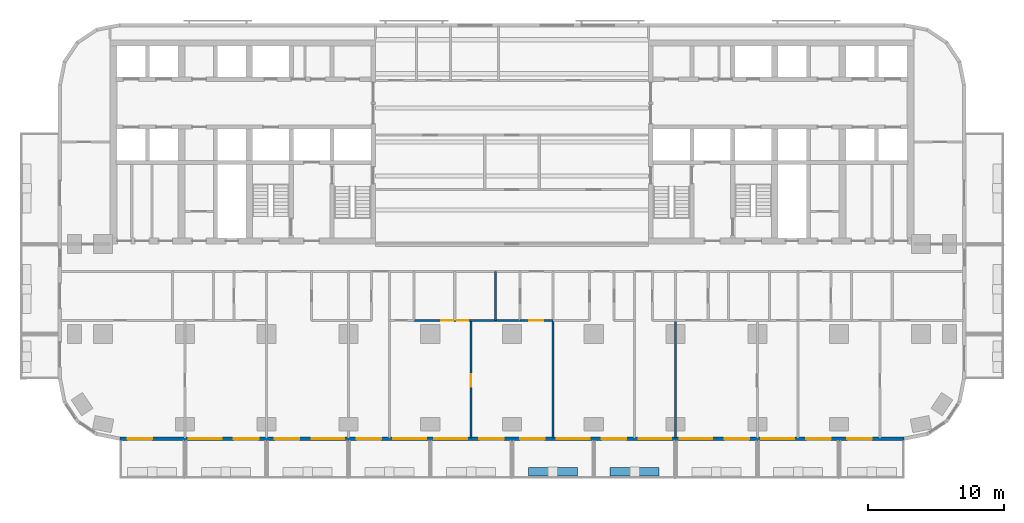
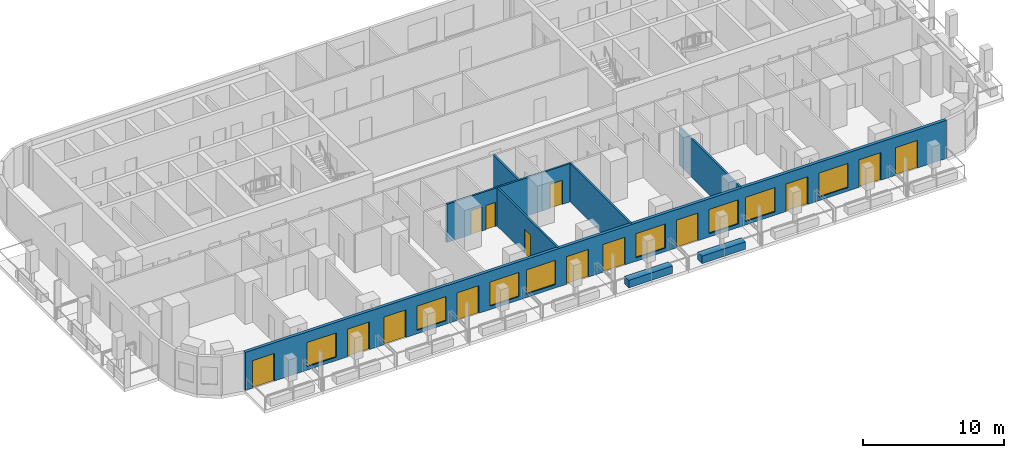
# One storey, part 5 of 15: 14 doors, 9 walls, 8 windows, 22 openings.
"""IFC4 building model written with IfcOpenShell, lengths in metres."""

from ifc_helpers import new_model, si_unit, direction, frame, frame_2d, origin, place, context, subcontext, project, spatial, rectangle, extrude, material, layer, layer_set, type_object, element, fill, save


model = new_model("IFC4")

# Units and contexts
model_context = context("Model", 3, precision=1e-05, world=origin(), true_north=direction((0.0, 1.0)))
body_context = subcontext(model_context, "Body", "Model", "MODEL_VIEW")
ifc_project = project(units=[si_unit("LENGTHUNIT", "METRE"), si_unit("AREAUNIT", "SQUARE_METRE"), si_unit("VOLUMEUNIT", "CUBIC_METRE"), si_unit("PLANEANGLEUNIT", "RADIAN"), si_unit("MASSUNIT", "GRAM", prefix="KILO")], contexts=[model_context])

# Site, building, storey
site_placement = place(None, origin())
site = spatial("IfcSite", under=ifc_project, at=site_placement, CompositionType="ELEMENT")
building_placement = place(site_placement, origin())
building = spatial("IfcBuilding", under=site, at=building_placement, Name="Torana Hotel and Residences", CompositionType="ELEMENT")
storey_placement = place(building_placement, frame((0.0, 0.0, 88.800048828125)))
storey = spatial("IfcBuildingStorey", under=building, at=storey_placement, Name="L22", CompositionType="ELEMENT", Elevation=88.800048828125)

# Wall, openings, doors, windows
ifc_material_1 = material(Name="Black aluminium composite panel", Category="aluminium")
ifc_layer_1 = layer(ifc_material_1, 0.00390625, Name="Cladding", Category="cladding")
ifc_material_2 = material(Name="Ventilated air cavity")
ifc_layer_2 = layer(ifc_material_2, 0.0400390625, Name="Ventilated cavity", Category="cavity")
ifc_material_3 = material(Name="Mineral wool insulation")
ifc_layer_3 = layer(ifc_material_3, 0.090087890625, Name="Insulation", Category="insulation")
ifc_material_4 = material(Name="Steel S280GD", Category="steel")
ifc_layer_4 = layer(ifc_material_4, 0.092041015625, Name="Steel stud frame", Category="structure")
ifc_material_5 = material(Name="Fire rated plasterboard")
ifc_layer_5 = layer(ifc_material_5, 0.011962890625, Name="Inner board", Category="finish")
ifc_layer_6 = layer(ifc_material_5, 0.011962890625, Name="Second board", Category="finish")
ifc_layer_set_1 = layer_set([ifc_layer_1, ifc_layer_2, ifc_layer_3, ifc_layer_4, ifc_layer_5, ifc_layer_6], Name="EW1 EXTERNAL WALL BLACK METAL CLAD 250")
wall_type_1 = type_object("IfcWallType", Name="EW1 EXTERNAL WALL BLACK METAL CLAD 250", PredefinedType="SOLIDWALL", material=ifc_layer_set_1)
wall_1_placement = place(storey_placement, frame((-28.775390625, -29.27490234375, 0.0), z_axis=(0.0, 0.0, 1.0), x_axis=(1.0, 0.0, 0.0)))
wall_1 = element("IfcWall", 1, at=wall_1_placement, inside=storey, type_object=wall_type_1, Name="External wall L22 e0.14", PredefinedType="SOLIDWALL", context=body_context, shape_type="SweptSolid", body=[
    extrude(rectangle(XDim=57.55078125, YDim=0.25, at=frame_2d((28.775390625, 0.0))), origin(), (0.0, 0.0, 1.0), 3.320068359375),
])
opening_1_placement = place(wall_1_placement, frame((0.575439453125, 0.0, 0.0)))
opening_1 = element("IfcOpeningElement", 2, at=opening_1_placement, cuts=wall_1, Name="Opening L22-E01", PredefinedType="OPENING", context=body_context, shape_type="SweptSolid", body=[
    extrude(rectangle(XDim=1.800048828125, YDim=2.39990234375, at=frame_2d((0.89990234375, 1.199951171875))), frame((0.0, 0.135009765625, 0.0), z_axis=(0.0, -1.0, 0.0), x_axis=(1.0, 0.0, 0.0)), (0.0, 0.0, 1.0), 0.27001953125),
])
opening_2_placement = place(wall_1_placement, frame((5.075439453125, 0.0, 0.300048828125)))
opening_2 = element("IfcOpeningElement", 3, at=opening_2_placement, cuts=wall_1, Name="Opening W1", PredefinedType="OPENING", context=body_context, shape_type="SweptSolid", body=[
    extrude(rectangle(XDim=2.39990234375, YDim=2.10009765625, at=frame_2d((1.199951171875, 1.050048828125))), frame((0.0, 0.135009765625, 0.0), z_axis=(0.0, -1.0, 0.0), x_axis=(1.0, 0.0, 0.0)), (0.0, 0.0, 1.0), 0.27001953125),
])
opening_3_placement = place(wall_1_placement, frame((8.37548828125, 0.0, 0.0)))
opening_3 = element("IfcOpeningElement", 4, at=opening_3_placement, cuts=wall_1, Name="Opening L22-E02", PredefinedType="OPENING", context=body_context, shape_type="SweptSolid", body=[
    extrude(rectangle(XDim=1.800048828125, YDim=2.39990234375, at=frame_2d((0.89990234375, 1.199951171875))), frame((0.0, 0.135009765625, 0.0), z_axis=(0.0, -1.0, 0.0), x_axis=(1.0, 0.0, 0.0)), (0.0, 0.0, 1.0), 0.27001953125),
])
opening_4_placement = place(wall_1_placement, frame((11.37548828125, 0.0, 0.0)))
opening_4 = element("IfcOpeningElement", 5, at=opening_4_placement, cuts=wall_1, Name="Opening L22-E03", PredefinedType="OPENING", context=body_context, shape_type="SweptSolid", body=[
    extrude(rectangle(XDim=1.800048828125, YDim=2.39990234375, at=frame_2d((0.89990234375, 1.199951171875))), frame((0.0, 0.135009765625, 0.0), z_axis=(0.0, -1.0, 0.0), x_axis=(1.0, 0.0, 0.0)), (0.0, 0.0, 1.0), 0.27001953125),
])
opening_5_placement = place(wall_1_placement, frame((14.075439453125, 0.0, 0.300048828125)))
opening_5 = element("IfcOpeningElement", 6, at=opening_5_placement, cuts=wall_1, Name="Opening W1", PredefinedType="OPENING", context=body_context, shape_type="SweptSolid", body=[
    extrude(rectangle(XDim=2.39990234375, YDim=2.10009765625, at=frame_2d((1.199951171875, 1.050048828125))), frame((0.0, 0.135009765625, 0.0), z_axis=(0.0, -1.0, 0.0), x_axis=(1.0, 0.0, 0.0)), (0.0, 0.0, 1.0), 0.27001953125),
])
opening_6_placement = place(wall_1_placement, frame((17.37548828125, 0.0, 0.0)))
opening_6 = element("IfcOpeningElement", 7, at=opening_6_placement, cuts=wall_1, Name="Opening L22-E04", PredefinedType="OPENING", context=body_context, shape_type="SweptSolid", body=[
    extrude(rectangle(XDim=1.800048828125, YDim=2.39990234375, at=frame_2d((0.89990234375, 1.199951171875))), frame((0.0, 0.135009765625, 0.0), z_axis=(0.0, -1.0, 0.0), x_axis=(1.0, 0.0, 0.0)), (0.0, 0.0, 1.0), 0.27001953125),
])
opening_7_placement = place(wall_1_placement, frame((20.075439453125, 0.0, 0.300048828125)))
opening_7 = element("IfcOpeningElement", 8, at=opening_7_placement, cuts=wall_1, Name="Opening W1", PredefinedType="OPENING", context=body_context, shape_type="SweptSolid", body=[
    extrude(rectangle(XDim=2.39990234375, YDim=2.10009765625, at=frame_2d((1.199951171875, 1.050048828125))), frame((0.0, 0.135009765625, 0.0), z_axis=(0.0, -1.0, 0.0), x_axis=(1.0, 0.0, 0.0)), (0.0, 0.0, 1.0), 0.27001953125),
])
opening_8_placement = place(wall_1_placement, frame((23.075439453125, 0.0, 0.300048828125)))
opening_8 = element("IfcOpeningElement", 9, at=opening_8_placement, cuts=wall_1, Name="Opening W1", PredefinedType="OPENING", context=body_context, shape_type="SweptSolid", body=[
    extrude(rectangle(XDim=2.39990234375, YDim=2.10009765625, at=frame_2d((1.199951171875, 1.050048828125))), frame((0.0, 0.135009765625, 0.0), z_axis=(0.0, -1.0, 0.0), x_axis=(1.0, 0.0, 0.0)), (0.0, 0.0, 1.0), 0.27001953125),
])
opening_9_placement = place(wall_1_placement, frame((26.37548828125, 0.0, 0.0)))
opening_9 = element("IfcOpeningElement", 10, at=opening_9_placement, cuts=wall_1, Name="Opening L22-E05", PredefinedType="OPENING", context=body_context, shape_type="SweptSolid", body=[
    extrude(rectangle(XDim=1.800048828125, YDim=2.39990234375, at=frame_2d((0.89990234375, 1.199951171875))), frame((0.0, 0.135009765625, 0.0), z_axis=(0.0, -1.0, 0.0), x_axis=(1.0, 0.0, 0.0)), (0.0, 0.0, 1.0), 0.27001953125),
])
opening_10_placement = place(wall_1_placement, frame((29.37548828125, 0.0, 0.0)))
opening_10 = element("IfcOpeningElement", 11, at=opening_10_placement, cuts=wall_1, Name="Opening L22-E06", PredefinedType="OPENING", context=body_context, shape_type="SweptSolid", body=[
    extrude(rectangle(XDim=1.800048828125, YDim=2.39990234375, at=frame_2d((0.89990234375, 1.199951171875))), frame((0.0, 0.135009765625, 0.0), z_axis=(0.0, -1.0, 0.0), x_axis=(1.0, 0.0, 0.0)), (0.0, 0.0, 1.0), 0.27001953125),
])
opening_11_placement = place(wall_1_placement, frame((32.075439453125, 0.0, 0.300048828125)))
opening_11 = element("IfcOpeningElement", 12, at=opening_11_placement, cuts=wall_1, Name="Opening W1", PredefinedType="OPENING", context=body_context, shape_type="SweptSolid", body=[
    extrude(rectangle(XDim=2.39990234375, YDim=2.10009765625, at=frame_2d((1.199951171875, 1.050048828125))), frame((0.0, 0.135009765625, 0.0), z_axis=(0.0, -1.0, 0.0), x_axis=(1.0, 0.0, 0.0)), (0.0, 0.0, 1.0), 0.27001953125),
])
opening_12_placement = place(wall_1_placement, frame((35.37548828125, 0.0, 0.0)))
opening_12 = element("IfcOpeningElement", 13, at=opening_12_placement, cuts=wall_1, Name="Opening L22-E07", PredefinedType="OPENING", context=body_context, shape_type="SweptSolid", body=[
    extrude(rectangle(XDim=1.800048828125, YDim=2.39990234375, at=frame_2d((0.89990234375, 1.199951171875))), frame((0.0, 0.135009765625, 0.0), z_axis=(0.0, -1.0, 0.0), x_axis=(1.0, 0.0, 0.0)), (0.0, 0.0, 1.0), 0.27001953125),
])
opening_13_placement = place(wall_1_placement, frame((38.075439453125, 0.0, 0.300048828125)))
opening_13 = element("IfcOpeningElement", 14, at=opening_13_placement, cuts=wall_1, Name="Opening W1", PredefinedType="OPENING", context=body_context, shape_type="SweptSolid", body=[
    extrude(rectangle(XDim=2.39990234375, YDim=2.10009765625, at=frame_2d((1.199951171875, 1.050048828125))), frame((0.0, 0.135009765625, 0.0), z_axis=(0.0, -1.0, 0.0), x_axis=(1.0, 0.0, 0.0)), (0.0, 0.0, 1.0), 0.27001953125),
])
opening_14_placement = place(wall_1_placement, frame((41.075439453125, 0.0, 0.300048828125)))
opening_14 = element("IfcOpeningElement", 15, at=opening_14_placement, cuts=wall_1, Name="Opening W1", PredefinedType="OPENING", context=body_context, shape_type="SweptSolid", body=[
    extrude(rectangle(XDim=2.39990234375, YDim=2.10009765625, at=frame_2d((1.199951171875, 1.050048828125))), frame((0.0, 0.135009765625, 0.0), z_axis=(0.0, -1.0, 0.0), x_axis=(1.0, 0.0, 0.0)), (0.0, 0.0, 1.0), 0.27001953125),
])
opening_15_placement = place(wall_1_placement, frame((44.37548828125, 0.0, 0.0)))
opening_15 = element("IfcOpeningElement", 16, at=opening_15_placement, cuts=wall_1, Name="Opening L22-E08", PredefinedType="OPENING", context=body_context, shape_type="SweptSolid", body=[
    extrude(rectangle(XDim=1.800048828125, YDim=2.39990234375, at=frame_2d((0.89990234375, 1.199951171875))), frame((0.0, 0.135009765625, 0.0), z_axis=(0.0, -1.0, 0.0), x_axis=(1.0, 0.0, 0.0)), (0.0, 0.0, 1.0), 0.27001953125),
])
opening_16_placement = place(wall_1_placement, frame((47.075439453125, 0.0, 0.300048828125)))
opening_16 = element("IfcOpeningElement", 17, at=opening_16_placement, cuts=wall_1, Name="Opening W1", PredefinedType="OPENING", context=body_context, shape_type="SweptSolid", body=[
    extrude(rectangle(XDim=2.39990234375, YDim=2.10009765625, at=frame_2d((1.199951171875, 1.050048828125))), frame((0.0, 0.135009765625, 0.0), z_axis=(0.0, -1.0, 0.0), x_axis=(1.0, 0.0, 0.0)), (0.0, 0.0, 1.0), 0.27001953125),
])
opening_17_placement = place(wall_1_placement, frame((50.37548828125, 0.0, 0.0)))
opening_17 = element("IfcOpeningElement", 18, at=opening_17_placement, cuts=wall_1, Name="Opening L22-E09", PredefinedType="OPENING", context=body_context, shape_type="SweptSolid", body=[
    extrude(rectangle(XDim=1.800048828125, YDim=2.39990234375, at=frame_2d((0.89990234375, 1.199951171875))), frame((0.0, 0.135009765625, 0.0), z_axis=(0.0, -1.0, 0.0), x_axis=(1.0, 0.0, 0.0)), (0.0, 0.0, 1.0), 0.27001953125),
])
opening_18_placement = place(wall_1_placement, frame((53.37548828125, 0.0, 0.0)))
opening_18 = element("IfcOpeningElement", 19, at=opening_18_placement, cuts=wall_1, Name="Opening L22-E10", PredefinedType="OPENING", context=body_context, shape_type="SweptSolid", body=[
    extrude(rectangle(XDim=1.800048828125, YDim=2.39990234375, at=frame_2d((0.89990234375, 1.199951171875))), frame((0.0, 0.135009765625, 0.0), z_axis=(0.0, -1.0, 0.0), x_axis=(1.0, 0.0, 0.0)), (0.0, 0.0, 1.0), 0.27001953125),
])
ifc_material_6 = material(Name="Dark glass in black aluminium frame", Category="aluminium")
door_type_1 = type_object("IfcDoorType", Name="DB1 BALCONY DOOR 1800x2400", OperationType="DOUBLE_DOOR_SINGLE_SWING", PredefinedType="DOOR", material=ifc_material_6)
door_1_placement = place(opening_1_placement, origin())
door_1 = element("IfcDoor", 20, at=door_1_placement, inside=storey, type_object=door_type_1, Name="Balcony door L22", OperationType="DOUBLE_DOOR_SINGLE_SWING", OverallHeight=2.39990234375, OverallWidth=1.800048828125, PredefinedType="DOOR", context=body_context, shape_type="SweptSolid", body=[
    extrude(rectangle(XDim=1.800048828125, YDim=2.39990234375, at=frame_2d((0.89990234375, 1.199951171875))), frame((0.0, 0.02490234375, 0.0), z_axis=(0.0, -1.0, 0.0), x_axis=(1.0, 0.0, 0.0)), (0.0, 0.0, 1.0), 0.050048828125),
])
fill(opening_1, door_1)
door_2_placement = place(opening_3_placement, frame((0.89990234375, 0.0, 0.0), z_axis=(0.0, 0.0, 1.0), x_axis=(-1.0, 0.0, 0.0)))
door_2 = element("IfcDoor", 21, at=door_2_placement, inside=storey, type_object=door_type_1, Name="Balcony door L22", OperationType="DOUBLE_DOOR_SINGLE_SWING", OverallHeight=2.39990234375, OverallWidth=1.800048828125, PredefinedType="DOOR", context=body_context, shape_type="SweptSolid", body=[
    extrude(rectangle(XDim=1.800048828125, YDim=2.39990234375, at=frame_2d((0.0, 1.199951171875))), frame((0.0, -0.02490234375, 0.0), z_axis=(0.0, 1.0, 0.0), x_axis=(-1.0, 0.0, 0.0)), (0.0, 0.0, 1.0), 0.050048828125),
])
fill(opening_3, door_2)
door_3_placement = place(opening_4_placement, frame((0.89990234375, 0.0, 0.0), z_axis=(0.0, 0.0, 1.0), x_axis=(-1.0, 0.0, 0.0)))
door_3 = element("IfcDoor", 22, at=door_3_placement, inside=storey, type_object=door_type_1, Name="Balcony door L22", OperationType="DOUBLE_DOOR_SINGLE_SWING", OverallHeight=2.39990234375, OverallWidth=1.800048828125, PredefinedType="DOOR", context=body_context, shape_type="SweptSolid", body=[
    extrude(rectangle(XDim=1.800048828125, YDim=2.39990234375, at=frame_2d((0.0, 1.199951171875))), frame((0.0, -0.02490234375, 0.0), z_axis=(0.0, 1.0, 0.0), x_axis=(-1.0, 0.0, 0.0)), (0.0, 0.0, 1.0), 0.050048828125),
])
fill(opening_4, door_3)
door_4_placement = place(opening_6_placement, frame((0.89990234375, 0.0, 0.0), z_axis=(0.0, 0.0, 1.0), x_axis=(-1.0, 0.0, 0.0)))
door_4 = element("IfcDoor", 23, at=door_4_placement, inside=storey, type_object=door_type_1, Name="Balcony door L22", OperationType="DOUBLE_DOOR_SINGLE_SWING", OverallHeight=2.39990234375, OverallWidth=1.800048828125, PredefinedType="DOOR", context=body_context, shape_type="SweptSolid", body=[
    extrude(rectangle(XDim=1.800048828125, YDim=2.39990234375, at=frame_2d((0.0, 1.199951171875))), frame((0.0, -0.02490234375, 0.0), z_axis=(0.0, 1.0, 0.0), x_axis=(-1.0, 0.0, 0.0)), (0.0, 0.0, 1.0), 0.050048828125),
])
fill(opening_6, door_4)
door_5_placement = place(opening_9_placement, frame((0.89990234375, 0.0, 0.0), z_axis=(0.0, 0.0, 1.0), x_axis=(-1.0, 0.0, 0.0)))
door_5 = element("IfcDoor", 24, at=door_5_placement, inside=storey, type_object=door_type_1, Name="Balcony door L22", OperationType="DOUBLE_DOOR_SINGLE_SWING", OverallHeight=2.39990234375, OverallWidth=1.800048828125, PredefinedType="DOOR", context=body_context, shape_type="SweptSolid", body=[
    extrude(rectangle(XDim=1.800048828125, YDim=2.39990234375, at=frame_2d((0.0, 1.199951171875))), frame((0.0, -0.02490234375, 0.0), z_axis=(0.0, 1.0, 0.0), x_axis=(-1.0, 0.0, 0.0)), (0.0, 0.0, 1.0), 0.050048828125),
])
fill(opening_9, door_5)
door_6_placement = place(opening_10_placement, frame((0.89990234375, 0.0, 0.0), z_axis=(0.0, 0.0, 1.0), x_axis=(-1.0, 0.0, 0.0)))
door_6 = element("IfcDoor", 25, at=door_6_placement, inside=storey, type_object=door_type_1, Name="Balcony door L22", OperationType="DOUBLE_DOOR_SINGLE_SWING", OverallHeight=2.39990234375, OverallWidth=1.800048828125, PredefinedType="DOOR", context=body_context, shape_type="SweptSolid", body=[
    extrude(rectangle(XDim=1.800048828125, YDim=2.39990234375, at=frame_2d((0.0, 1.199951171875))), frame((0.0, -0.02490234375, 0.0), z_axis=(0.0, 1.0, 0.0), x_axis=(-1.0, 0.0, 0.0)), (0.0, 0.0, 1.0), 0.050048828125),
])
fill(opening_10, door_6)
door_7_placement = place(opening_12_placement, frame((0.89990234375, 0.0, 0.0), z_axis=(0.0, 0.0, 1.0), x_axis=(-1.0, 0.0, 0.0)))
door_7 = element("IfcDoor", 26, at=door_7_placement, inside=storey, type_object=door_type_1, Name="Balcony door L22", OperationType="DOUBLE_DOOR_SINGLE_SWING", OverallHeight=2.39990234375, OverallWidth=1.800048828125, PredefinedType="DOOR", context=body_context, shape_type="SweptSolid", body=[
    extrude(rectangle(XDim=1.800048828125, YDim=2.39990234375, at=frame_2d((0.0, 1.199951171875))), frame((0.0, -0.02490234375, 0.0), z_axis=(0.0, 1.0, 0.0), x_axis=(-1.0, 0.0, 0.0)), (0.0, 0.0, 1.0), 0.050048828125),
])
fill(opening_12, door_7)
door_8_placement = place(opening_15_placement, frame((0.89990234375, 0.0, 0.0), z_axis=(0.0, 0.0, 1.0), x_axis=(-1.0, 0.0, 0.0)))
door_8 = element("IfcDoor", 27, at=door_8_placement, inside=storey, type_object=door_type_1, Name="Balcony door L22", OperationType="DOUBLE_DOOR_SINGLE_SWING", OverallHeight=2.39990234375, OverallWidth=1.800048828125, PredefinedType="DOOR", context=body_context, shape_type="SweptSolid", body=[
    extrude(rectangle(XDim=1.800048828125, YDim=2.39990234375, at=frame_2d((0.0, 1.199951171875))), frame((0.0, -0.02490234375, 0.0), z_axis=(0.0, 1.0, 0.0), x_axis=(-1.0, 0.0, 0.0)), (0.0, 0.0, 1.0), 0.050048828125),
])
fill(opening_15, door_8)
door_9_placement = place(opening_17_placement, frame((0.89990234375, 0.0, 0.0), z_axis=(0.0, 0.0, 1.0), x_axis=(-1.0, 0.0, 0.0)))
door_9 = element("IfcDoor", 28, at=door_9_placement, inside=storey, type_object=door_type_1, Name="Balcony door L22", OperationType="DOUBLE_DOOR_SINGLE_SWING", OverallHeight=2.39990234375, OverallWidth=1.800048828125, PredefinedType="DOOR", context=body_context, shape_type="SweptSolid", body=[
    extrude(rectangle(XDim=1.800048828125, YDim=2.39990234375, at=frame_2d((0.0, 1.199951171875))), frame((0.0, -0.02490234375, 0.0), z_axis=(0.0, 1.0, 0.0), x_axis=(-1.0, 0.0, 0.0)), (0.0, 0.0, 1.0), 0.050048828125),
])
fill(opening_17, door_9)
door_10_placement = place(opening_18_placement, frame((0.89990234375, 0.0, 0.0), z_axis=(0.0, 0.0, 1.0), x_axis=(-1.0, 0.0, 0.0)))
door_10 = element("IfcDoor", 29, at=door_10_placement, inside=storey, type_object=door_type_1, Name="Balcony door L22", OperationType="DOUBLE_DOOR_SINGLE_SWING", OverallHeight=2.39990234375, OverallWidth=1.800048828125, PredefinedType="DOOR", context=body_context, shape_type="SweptSolid", body=[
    extrude(rectangle(XDim=1.800048828125, YDim=2.39990234375, at=frame_2d((0.0, 1.199951171875))), frame((0.0, -0.02490234375, 0.0), z_axis=(0.0, 1.0, 0.0), x_axis=(-1.0, 0.0, 0.0)), (0.0, 0.0, 1.0), 0.050048828125),
])
fill(opening_18, door_10)
ifc_material_7 = material(Name="Dark glass in black aluminium frame", Category="aluminium")
window_type = type_object("IfcWindowType", Name="W1 HOTEL ROOM WINDOW 2400x2100", PartitioningType="SINGLE_PANEL", PredefinedType="WINDOW", material=ifc_material_7)
window_1_placement = place(opening_2_placement, origin())
window_1 = element("IfcWindow", 30, at=window_1_placement, inside=storey, type_object=window_type, Name="Window L22", OverallHeight=2.10009765625, OverallWidth=2.39990234375, PartitioningType="SINGLE_PANEL", PredefinedType="WINDOW", context=body_context, shape_type="SweptSolid", body=[
    extrude(rectangle(XDim=2.39990234375, YDim=2.10009765625, at=frame_2d((1.199951171875, 1.050048828125))), frame((0.0, 0.030029296875, 0.0), z_axis=(0.0, -1.0, 0.0), x_axis=(1.0, 0.0, 0.0)), (0.0, 0.0, 1.0), 0.06005859375),
])
fill(opening_2, window_1)
window_2_placement = place(opening_5_placement, origin())
window_2 = element("IfcWindow", 31, at=window_2_placement, inside=storey, type_object=window_type, Name="Window L22", OverallHeight=2.10009765625, OverallWidth=2.39990234375, PartitioningType="SINGLE_PANEL", PredefinedType="WINDOW", context=body_context, shape_type="SweptSolid", body=[
    extrude(rectangle(XDim=2.39990234375, YDim=2.10009765625, at=frame_2d((1.199951171875, 1.050048828125))), frame((0.0, 0.030029296875, 0.0), z_axis=(0.0, -1.0, 0.0), x_axis=(1.0, 0.0, 0.0)), (0.0, 0.0, 1.0), 0.06005859375),
])
fill(opening_5, window_2)
window_3_placement = place(opening_7_placement, origin())
window_3 = element("IfcWindow", 32, at=window_3_placement, inside=storey, type_object=window_type, Name="Window L22", OverallHeight=2.10009765625, OverallWidth=2.39990234375, PartitioningType="SINGLE_PANEL", PredefinedType="WINDOW", context=body_context, shape_type="SweptSolid", body=[
    extrude(rectangle(XDim=2.39990234375, YDim=2.10009765625, at=frame_2d((1.199951171875, 1.050048828125))), frame((0.0, 0.030029296875, 0.0), z_axis=(0.0, -1.0, 0.0), x_axis=(1.0, 0.0, 0.0)), (0.0, 0.0, 1.0), 0.06005859375),
])
fill(opening_7, window_3)
window_4_placement = place(opening_8_placement, origin())
window_4 = element("IfcWindow", 33, at=window_4_placement, inside=storey, type_object=window_type, Name="Window L22", OverallHeight=2.10009765625, OverallWidth=2.39990234375, PartitioningType="SINGLE_PANEL", PredefinedType="WINDOW", context=body_context, shape_type="SweptSolid", body=[
    extrude(rectangle(XDim=2.39990234375, YDim=2.10009765625, at=frame_2d((1.199951171875, 1.050048828125))), frame((0.0, 0.030029296875, 0.0), z_axis=(0.0, -1.0, 0.0), x_axis=(1.0, 0.0, 0.0)), (0.0, 0.0, 1.0), 0.06005859375),
])
fill(opening_8, window_4)
window_5_placement = place(opening_11_placement, origin())
window_5 = element("IfcWindow", 34, at=window_5_placement, inside=storey, type_object=window_type, Name="Window L22", OverallHeight=2.10009765625, OverallWidth=2.39990234375, PartitioningType="SINGLE_PANEL", PredefinedType="WINDOW", context=body_context, shape_type="SweptSolid", body=[
    extrude(rectangle(XDim=2.39990234375, YDim=2.10009765625, at=frame_2d((1.199951171875, 1.050048828125))), frame((0.0, 0.030029296875, 0.0), z_axis=(0.0, -1.0, 0.0), x_axis=(1.0, 0.0, 0.0)), (0.0, 0.0, 1.0), 0.06005859375),
])
fill(opening_11, window_5)
window_6_placement = place(opening_13_placement, origin())
window_6 = element("IfcWindow", 35, at=window_6_placement, inside=storey, type_object=window_type, Name="Window L22", OverallHeight=2.10009765625, OverallWidth=2.39990234375, PartitioningType="SINGLE_PANEL", PredefinedType="WINDOW", context=body_context, shape_type="SweptSolid", body=[
    extrude(rectangle(XDim=2.39990234375, YDim=2.10009765625, at=frame_2d((1.199951171875, 1.050048828125))), frame((0.0, 0.030029296875, 0.0), z_axis=(0.0, -1.0, 0.0), x_axis=(1.0, 0.0, 0.0)), (0.0, 0.0, 1.0), 0.06005859375),
])
fill(opening_13, window_6)
window_7_placement = place(opening_14_placement, origin())
window_7 = element("IfcWindow", 36, at=window_7_placement, inside=storey, type_object=window_type, Name="Window L22", OverallHeight=2.10009765625, OverallWidth=2.39990234375, PartitioningType="SINGLE_PANEL", PredefinedType="WINDOW", context=body_context, shape_type="SweptSolid", body=[
    extrude(rectangle(XDim=2.39990234375, YDim=2.10009765625, at=frame_2d((1.199951171875, 1.050048828125))), frame((0.0, 0.030029296875, 0.0), z_axis=(0.0, -1.0, 0.0), x_axis=(1.0, 0.0, 0.0)), (0.0, 0.0, 1.0), 0.06005859375),
])
fill(opening_14, window_7)
window_8_placement = place(opening_16_placement, origin())
window_8 = element("IfcWindow", 37, at=window_8_placement, inside=storey, type_object=window_type, Name="Window L22", OverallHeight=2.10009765625, OverallWidth=2.39990234375, PartitioningType="SINGLE_PANEL", PredefinedType="WINDOW", context=body_context, shape_type="SweptSolid", body=[
    extrude(rectangle(XDim=2.39990234375, YDim=2.10009765625, at=frame_2d((1.199951171875, 1.050048828125))), frame((0.0, 0.030029296875, 0.0), z_axis=(0.0, -1.0, 0.0), x_axis=(1.0, 0.0, 0.0)), (0.0, 0.0, 1.0), 0.06005859375),
])
fill(opening_16, window_8)

# Wall, opening, door
ifc_material_8 = material(Name="Gypsum plaster")
ifc_layer_7 = layer(ifc_material_8, 0.014892578125, Name="Plaster", Category="finish")
ifc_material_9 = material(Name="Concrete blockwork", Category="masonry")
ifc_layer_8 = layer(ifc_material_9, 0.1201171875, Name="Blockwork", Category="structure")
ifc_layer_9 = layer(ifc_material_8, 0.014892578125, Name="Plaster", Category="finish")
ifc_layer_set_2 = layer_set([ifc_layer_7, ifc_layer_8, ifc_layer_9], Name="FIRE PARTITION 150 BLOCKWORK")
wall_type_2 = type_object("IfcWallType", Name="FIRE PARTITION 150 BLOCKWORK", PredefinedType="PARTITIONING", material=ifc_layer_set_2)
wall_2_placement = place(storey_placement, frame((0.60009765625, -20.60009765625, 0.0), z_axis=(0.0, 0.0, 1.0), x_axis=(1.0, 0.0, 0.0)))
wall_2 = element("IfcWall", 38, at=wall_2_placement, inside=storey, type_object=wall_type_2, Name="Partition L22", PredefinedType="PARTITIONING", context=body_context, shape_type="SweptSolid", body=[
    extrude(rectangle(XDim=2.39990234375, YDim=0.14990234375, at=frame_2d((1.199951171875, 0.0))), origin(), (0.0, 0.0, 1.0), 3.320068359375),
])
opening_19_placement = place(wall_2_placement, frame((0.679931640625, 0.0, 0.0)))
opening_19 = element("IfcOpeningElement", 39, at=opening_19_placement, cuts=wall_2, Name="Opening L22-64", PredefinedType="OPENING", context=body_context, shape_type="SweptSolid", body=[
    extrude(rectangle(XDim=1.0, YDim=2.10009765625, at=frame_2d((0.5, 1.050048828125))), frame((0.0, 0.0849609375, 0.0), z_axis=(0.0, -1.0, 0.0), x_axis=(1.0, 0.0, 0.0)), (0.0, 0.0, 1.0), 0.169921875),
])
ifc_material_10 = material(Name="Steel S235", Category="steel")
door_type_2 = type_object("IfcDoorType", Name="ENTRY FIRE DOOR D6 1000x2100", OperationType="SINGLE_SWING_LEFT", PredefinedType="DOOR", material=ifc_material_10)
door_11_placement = place(opening_19_placement, frame((0.5, 0.0, 0.0), z_axis=(0.0, 0.0, 1.0), x_axis=(-1.0, 0.0, 0.0)))
door_11 = element("IfcDoor", 40, at=door_11_placement, inside=storey, type_object=door_type_2, Name="Door L22", OperationType="SINGLE_SWING_LEFT", OverallHeight=2.10009765625, OverallWidth=1.0, PredefinedType="DOOR", context=body_context, shape_type="SweptSolid", body=[
    extrude(rectangle(XDim=1.0, YDim=2.10009765625, at=frame_2d((0.0, 1.050048828125))), frame((0.0, -0.02490234375, 0.0), z_axis=(0.0, 1.0, 0.0), x_axis=(-1.0, 0.0, 0.0)), (0.0, 0.0, 1.0), 0.050048828125),
])
fill(opening_19, door_11)

# Walls
ifc_material_11 = material(Name="Gypsum plasterboard")
ifc_layer_10 = layer(ifc_material_11, 0.012451171875, Name="Plasterboard", Category="finish")
ifc_layer_11 = layer(ifc_material_11, 0.012451171875, Name="Plasterboard", Category="finish")
ifc_layer_12 = layer(ifc_material_4, 0.10009765625, Name="Steel studs with mineral wool", Category="insulation")
ifc_layer_13 = layer(ifc_material_11, 0.012451171875, Name="Plasterboard", Category="finish")
ifc_layer_14 = layer(ifc_material_11, 0.012451171875, Name="Plasterboard", Category="finish")
ifc_layer_set_3 = layer_set([ifc_layer_10, ifc_layer_11, ifc_layer_12, ifc_layer_13, ifc_layer_14], Name="PARTITION 150 PLASTERBOARD")
wall_type_3 = type_object("IfcWallType", Name="PARTITION 150 PLASTERBOARD", PredefinedType="PARTITIONING", material=ifc_layer_set_3)
for number, where, z_axis, x_axis, name in (
    (41, (12.0, -29.219970703125, 0.0), (0.0, 0.0, 1.0), (0.0, 1.0, 0.0), "Partition L22"),
    (42, (3.0, -29.219970703125, 0.0), (0.0, 0.0, 1.0), (0.0, 1.0, 0.0), "Partition L22"),
):
    element("IfcWall", number, at=place(storey_placement, frame(where, z_axis=z_axis, x_axis=x_axis)), inside=storey, type_object=wall_type_3, Name=name, PredefinedType="PARTITIONING", context=body_context, shape_type="SweptSolid", body=[
        extrude(rectangle(XDim=8.619873046875, YDim=0.14990234375, at=frame_2d((4.31005859375, 0.0))), origin(), (0.0, 0.0, 1.0), 3.320068359375),
    ])
wall_3_placement = place(storey_placement, frame((-1.199951171875, -20.60009765625, 0.0), z_axis=(0.0, 0.0, 1.0), x_axis=(0.0, 1.0, 0.0)))
element("IfcWall", 43, at=wall_3_placement, inside=storey, type_object=wall_type_3, Name="Partition L22", PredefinedType="PARTITIONING", context=body_context, shape_type="SweptSolid", body=[
    extrude(rectangle(XDim=3.60009765625, YDim=0.14990234375, at=frame_2d((1.800048828125, 0.0))), origin(), (0.0, 0.0, 1.0), 3.320068359375),
])

# Wall, opening, door
wall_4_placement = place(storey_placement, frame((-3.0, -29.219970703125, 0.0), z_axis=(0.0, 0.0, 1.0), x_axis=(0.0, 1.0, 0.0)))
wall_4 = element("IfcWall", 44, at=wall_4_placement, inside=storey, type_object=wall_type_3, Name="Partition L22", PredefinedType="PARTITIONING", context=body_context, shape_type="SweptSolid", body=[
    extrude(rectangle(XDim=8.619873046875, YDim=0.14990234375, at=frame_2d((4.31005859375, 0.0))), origin(), (0.0, 0.0, 1.0), 3.320068359375),
])
opening_20_placement = place(wall_4_placement, frame((3.77001953125, 0.0, 0.0)))
opening_20 = element("IfcOpeningElement", 45, at=opening_20_placement, cuts=wall_4, Name="Opening L22-65", PredefinedType="OPENING", context=body_context, shape_type="SweptSolid", body=[
    extrude(rectangle(XDim=0.89990234375, YDim=2.10009765625, at=frame_2d((0.449951171875, 1.050048828125))), frame((0.0, 0.0849609375, 0.0), z_axis=(0.0, -1.0, 0.0), x_axis=(1.0, 0.0, 0.0)), (0.0, 0.0, 1.0), 0.169921875),
])
ifc_material_12 = material(Name="Timber door, oiled ash", Category="wood")
door_type_3 = type_object("IfcDoorType", Name="ROOM DOOR D7 900x2100", OperationType="SINGLE_SWING_LEFT", PredefinedType="DOOR", material=ifc_material_12)
door_12_placement = place(opening_20_placement, origin())
door_12 = element("IfcDoor", 46, at=door_12_placement, inside=storey, type_object=door_type_3, Name="Door L22", OperationType="SINGLE_SWING_RIGHT", OverallHeight=2.10009765625, OverallWidth=0.89990234375, PredefinedType="DOOR", context=body_context, shape_type="SweptSolid", body=[
    extrude(rectangle(XDim=0.89990234375, YDim=2.10009765625, at=frame_2d((0.449951171875, 1.050048828125))), frame((0.0, 0.02490234375, 0.0), z_axis=(0.0, -1.0, 0.0), x_axis=(1.0, 0.0, 0.0)), (0.0, 0.0, 1.0), 0.050048828125),
])
fill(opening_20, door_12)

# Wall, openings, doors
wall_5_placement = place(storey_placement, frame((-7.199951171875, -20.60009765625, 0.0), z_axis=(0.0, 0.0, 1.0), x_axis=(1.0, 0.0, 0.0)))
wall_5 = element("IfcWall", 47, at=wall_5_placement, inside=storey, type_object=wall_type_3, Name="Partition L22", PredefinedType="PARTITIONING", context=body_context, shape_type="SweptSolid", body=[
    extrude(rectangle(XDim=7.800048828125, YDim=0.14990234375, at=frame_2d((3.89990234375, 0.0))), origin(), (0.0, 0.0, 1.0), 3.320068359375),
])
opening_21_placement = place(wall_5_placement, frame((2.0, 0.0, 0.0)))
opening_21 = element("IfcOpeningElement", 48, at=opening_21_placement, cuts=wall_5, Name="Opening L22-61", PredefinedType="OPENING", context=body_context, shape_type="SweptSolid", body=[
    extrude(rectangle(XDim=0.89990234375, YDim=2.10009765625, at=frame_2d((0.449951171875, 1.050048828125))), frame((0.0, 0.0849609375, 0.0), z_axis=(0.0, -1.0, 0.0), x_axis=(1.0, 0.0, 0.0)), (0.0, 0.0, 1.0), 0.169921875),
])
opening_22_placement = place(wall_5_placement, frame((3.198974609375, 0.0, 0.0)))
opening_22 = element("IfcOpeningElement", 49, at=opening_22_placement, cuts=wall_5, Name="Opening L22-62", PredefinedType="OPENING", context=body_context, shape_type="SweptSolid", body=[
    extrude(rectangle(XDim=0.800048828125, YDim=2.10009765625, at=frame_2d((0.39990234375, 1.050048828125))), frame((0.0, 0.0849609375, 0.0), z_axis=(0.0, -1.0, 0.0), x_axis=(1.0, 0.0, 0.0)), (0.0, 0.0, 1.0), 0.169921875),
])
ifc_material_13 = material(Name="Timber door, painted", Category="wood")
door_type_4 = type_object("IfcDoorType", Name="BATH DOOR D13 800x2100", OperationType="SINGLE_SWING_LEFT", PredefinedType="DOOR", material=ifc_material_13)
door_13_placement = place(opening_22_placement, origin())
door_13 = element("IfcDoor", 50, at=door_13_placement, inside=storey, type_object=door_type_4, Name="Door L22", OperationType="SINGLE_SWING_RIGHT", OverallHeight=2.10009765625, OverallWidth=0.800048828125, PredefinedType="DOOR", context=body_context, shape_type="SweptSolid", body=[
    extrude(rectangle(XDim=0.800048828125, YDim=2.10009765625, at=frame_2d((0.39990234375, 1.050048828125))), frame((0.0, 0.02490234375, 0.0), z_axis=(0.0, -1.0, 0.0), x_axis=(1.0, 0.0, 0.0)), (0.0, 0.0, 1.0), 0.050048828125),
])
fill(opening_22, door_13)
door_14_placement = place(opening_21_placement, frame((0.449951171875, 0.0, 0.0), z_axis=(0.0, 0.0, 1.0), x_axis=(-1.0, 0.0, 0.0)))
door_14 = element("IfcDoor", 51, at=door_14_placement, inside=storey, type_object=door_type_3, Name="Door L22", OperationType="SINGLE_SWING_LEFT", OverallHeight=2.10009765625, OverallWidth=0.89990234375, PredefinedType="DOOR", context=body_context, shape_type="SweptSolid", body=[
    extrude(rectangle(XDim=0.89990234375, YDim=2.10009765625, at=frame_2d((0.0, 1.050048828125))), frame((0.0, -0.02490234375, 0.0), z_axis=(0.0, 1.0, 0.0), x_axis=(-1.0, 0.0, 0.0)), (0.0, 0.0, 1.0), 0.050048828125),
])
fill(opening_21, door_14)

# Walls
ifc_material_14 = material(Name="Concrete C40/50 precast", Category="concrete")
ifc_layer_15 = layer(ifc_material_14, 0.10009765625, Name="Planter shell", Category="structure")
ifc_material_15 = material(Name="Root resistant membrane")
ifc_layer_16 = layer(ifc_material_15, 0.00390625, Name="Waterproofing membrane", Category="membrane")
ifc_material_16 = material(Name="Drainage board with filter fleece")
ifc_layer_17 = layer(ifc_material_16, 0.02001953125, Name="Drainage board", Category="drainage")
ifc_material_17 = material(Name="Growing medium")
ifc_layer_18 = layer(ifc_material_17, 0.47607421875, Name="Planting substrate", Category="soil")
ifc_layer_set_4 = layer_set([ifc_layer_15, ifc_layer_16, ifc_layer_17, ifc_layer_18], Name="PL1 BALCONY PLANTER 600")
wall_type_4 = type_object("IfcWallType", Name="PL1 BALCONY PLANTER 600", PredefinedType="USERDEFINED", material=ifc_layer_set_4)
for number, where, z_axis, x_axis, name in (
    (52, (4.800048828125, -31.699951171875, 0.0), (0.0, 0.0, 1.0), (-1.0, 0.0, 0.0), "Planter 06"),
    (53, (10.800048828125, -31.699951171875, 0.0), (0.0, 0.0, 1.0), (-1.0, 0.0, 0.0), "Planter 07"),
):
    element("IfcWall", number, at=place(storey_placement, frame(where, z_axis=z_axis, x_axis=x_axis)), inside=storey, type_object=wall_type_4, Name=name, ObjectType="PLANTER", PredefinedType="USERDEFINED", context=body_context, shape_type="SweptSolid", body=[
        extrude(rectangle(XDim=3.60009765625, YDim=0.60009765625, at=frame_2d((1.800048828125, 0.0))), origin(), (0.0, 0.0, 1.0), 0.64990234375),
    ])

save(model, "model.ifc")
